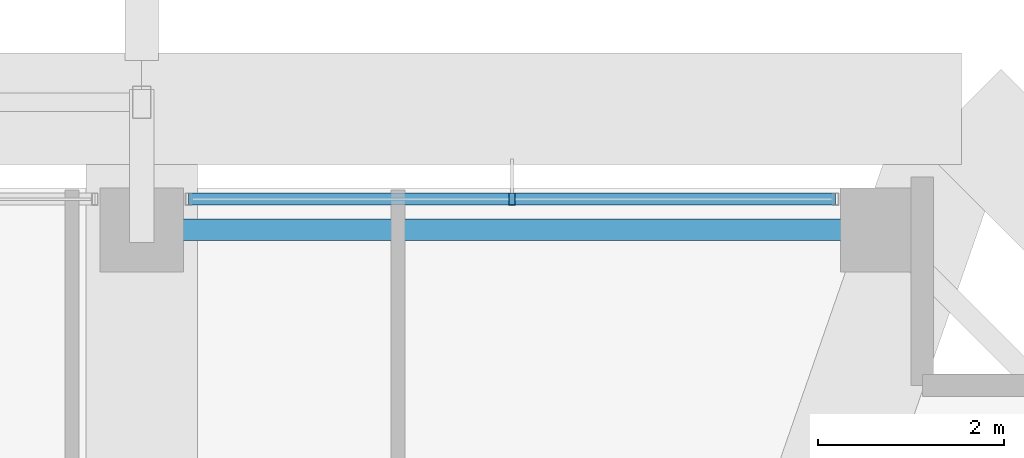
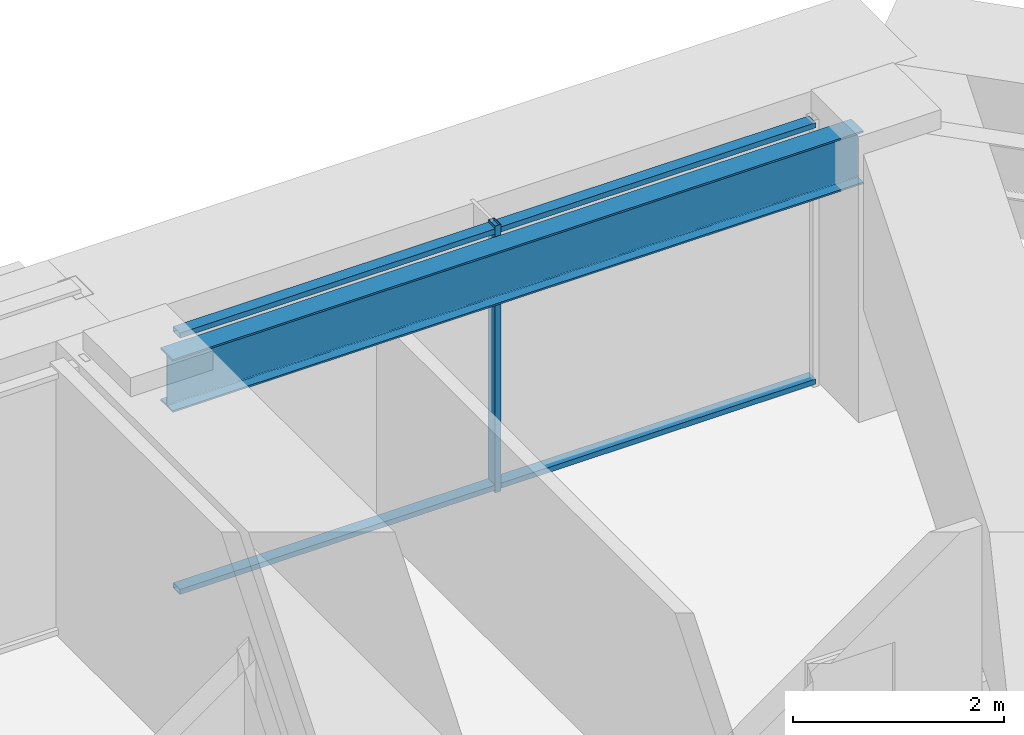
# One storey, part 25 of 40: 3 members, 1 beam, 1 element without a shape of its own.
"""IFC4 building model written with IfcOpenShell, lengths in metres."""

from ifc_helpers import new_model, si_unit, direction, frame, origin, origin_2d, place, context, subcontext, project, spatial, hollow_rectangle, i_section, extrude, material, material_profile, profile_set, type_object, element, aggregate, save


model = new_model("IFC4")

# Units and contexts
model_context = context("Model", 3, precision=1e-05, world=origin(), true_north=direction((0.0, 1.0)))
body_context = subcontext(model_context, "Body", "Model", "MODEL_VIEW")
ifc_project = project(units=[si_unit("LENGTHUNIT", "METRE"), si_unit("AREAUNIT", "SQUARE_METRE"), si_unit("VOLUMEUNIT", "CUBIC_METRE"), si_unit("PLANEANGLEUNIT", "RADIAN"), si_unit("MASSUNIT", "GRAM", prefix="KILO")], contexts=[model_context])

# Site, building, storey
site_placement = place(None, origin())
site = spatial("IfcSite", under=ifc_project, at=site_placement, CompositionType="ELEMENT")
building_placement = place(site_placement, origin())
building = spatial("IfcBuilding", under=site, at=building_placement, Name="Kolvaren Belvedere", CompositionType="ELEMENT")
storey_placement = place(building_placement, frame((0.0, 0.0, 170.10009765625)))
storey = spatial("IfcBuildingStorey", under=building, at=storey_placement, Name="L49", CompositionType="ELEMENT", Elevation=170.10009765625)

# Beam
ifc_material_1 = material(Name="Structural steel ASTM A992 Grade 50", Category="steel")
ifc_material_profile_1 = material_profile(ifc_material_1, i_section(OverallWidth=0.22900390625, OverallDepth=0.612060546875, WebThickness=0.011962890625, FlangeThickness=0.01953125, FilletRadius=0.01806640625, at=origin_2d()), Name="W24X84")
ifc_profile_set_1 = profile_set([ifc_material_profile_1], Name="Structural steel ASTM A992 Grade 50")
beam_type = type_object("IfcBeamType", Name="BM-SPAN-W24X84", PredefinedType="SPANDREL", material=ifc_profile_set_1)
beam_placement = place(storey_placement, frame((12.347412109375, 18.64990234375, 2.77392578125), z_axis=(-1.0, 0.0, 0.0), x_axis=(0.0, -1.0, 0.0)))
element("IfcBeam", 1, at=beam_placement, inside=storey, type_object=beam_type, Name="L49 Perimeter Spandrel N4-N3", PredefinedType="SPANDREL", context=body_context, shape_type="SweptSolid", body=[
    extrude(i_section(OverallWidth=0.22900390625, OverallDepth=0.612060546875, WebThickness=0.011962890625, FlangeThickness=0.01953125, FilletRadius=0.01806640625, at=origin_2d()), origin(), (0.0, 0.0, 1.0), 7.544921875),
])

# Curtain wall, members
ifc_material_2 = material(Name="Anodised pale-metal aluminium AA 6063-T6", Category="aluminium")
curtain_wall_type = type_object("IfcCurtainWallType", Name="CW-Z3-WAIST", PredefinedType="NOTDEFINED", material=ifc_material_2)
curtain_wall_placement = place(storey_placement, origin())
curtain_wall = element("IfcCurtainWall", 2, at=curtain_wall_placement, inside=storey, type_object=curtain_wall_type, Name="L49 Unitised Curtain Wall FCW-L49-N-B3", PredefinedType="NOTDEFINED")
ifc_material_3 = material(Name="Anodised pale-metal aluminium AA 6063-T6", Category="aluminium")
ifc_material_profile_2 = material_profile(ifc_material_3, hollow_rectangle(XDim=0.06494140625, YDim=0.1298828125, WallThickness=0.00390625, at=origin_2d()), Name="ALU-MUL-130X65")
ifc_profile_set_2 = profile_set([ifc_material_profile_2], Name="Anodised pale-metal aluminium AA 6063-T6")
member_type_1 = type_object("IfcMemberType", Name="CW-MUL-130", PredefinedType="MULLION", material=ifc_profile_set_2)
member_1_placement = place(storey_placement, frame((8.574951171875, 18.97998046875, 0.0), z_axis=(0.0, 0.0, 1.0), x_axis=(1.0, 0.0, 0.0)))
member_1 = element("IfcMember", 3, at=member_1_placement, type_object=member_type_1, Name="FCW-L49-N-B3 Unitised Mullion 2", PredefinedType="MULLION", context=body_context, shape_type="SweptSolid", body=[
    extrude(hollow_rectangle(XDim=0.06494140625, YDim=0.1298828125, WallThickness=0.00390625, at=origin_2d()), origin(), (0.0, 0.0, 1.0), 3.079833984375),
])
ifc_material_4 = material(Name="Anodised pale-metal aluminium AA 6063-T6", Category="aluminium")
ifc_material_profile_3 = material_profile(ifc_material_4, hollow_rectangle(XDim=0.06005859375, YDim=0.1298828125, WallThickness=0.00390625, at=origin_2d()), Name="ALU-TRN-130X60")
ifc_profile_set_3 = profile_set([ifc_material_profile_3], Name="Anodised pale-metal aluminium AA 6063-T6")
member_type_2 = type_object("IfcMemberType", Name="CW-TRN-130", PredefinedType="USERDEFINED", material=ifc_profile_set_3)
member_2_placement = place(storey_placement, frame((5.1025390625, 18.97998046875, 0.059814453125), z_axis=(1.0, 0.0, 0.0), x_axis=(0.0, 0.0, 1.0)))
member_2 = element("IfcMember", 4, at=member_2_placement, type_object=member_type_2, Name="FCW-L49-N-B3 Sill Transom", ObjectType="TRANSOM", PredefinedType="USERDEFINED", context=body_context, shape_type="SweptSolid", body=[
    extrude(hollow_rectangle(XDim=0.06005859375, YDim=0.1298828125, WallThickness=0.00390625, at=origin_2d()), origin(), (0.0, 0.0, 1.0), 6.945068359375),
])
member_3_placement = place(storey_placement, frame((5.1025390625, 18.97998046875, 3.02001953125), z_axis=(1.0, 0.0, 0.0), x_axis=(0.0, 0.0, 1.0)))
member_3 = element("IfcMember", 5, at=member_3_placement, type_object=member_type_2, Name="FCW-L49-N-B3 Head Transom", ObjectType="TRANSOM", PredefinedType="USERDEFINED", context=body_context, shape_type="SweptSolid", body=[
    extrude(hollow_rectangle(XDim=0.06005859375, YDim=0.1298828125, WallThickness=0.00390625, at=origin_2d()), origin(), (0.0, 0.0, 1.0), 6.945068359375),
])
aggregate(curtain_wall, [member_1, member_2, member_3])

save(model, "model.ifc")
